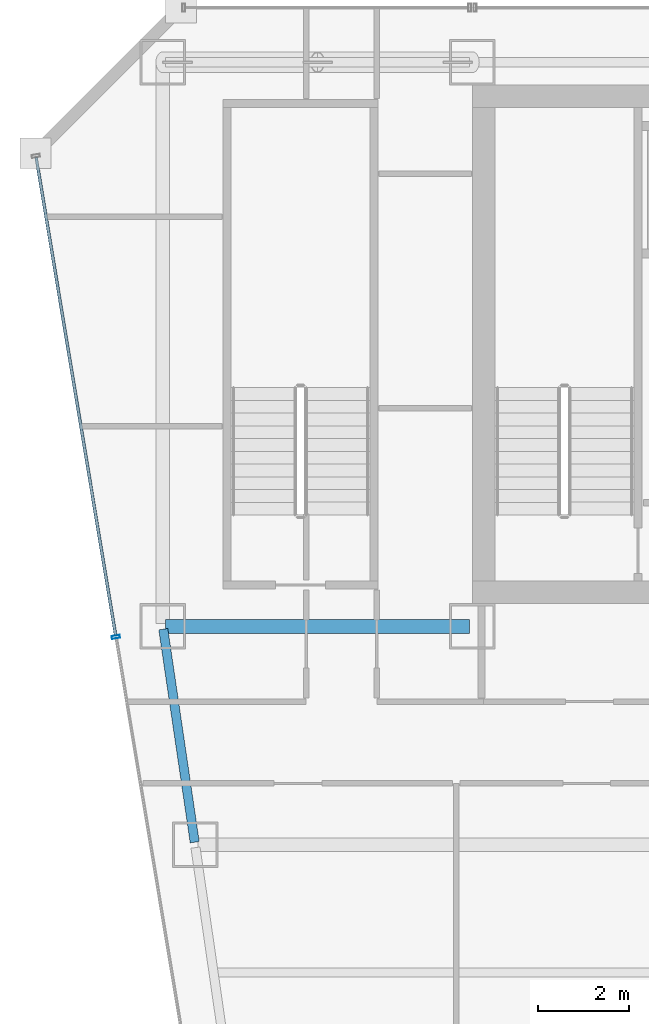
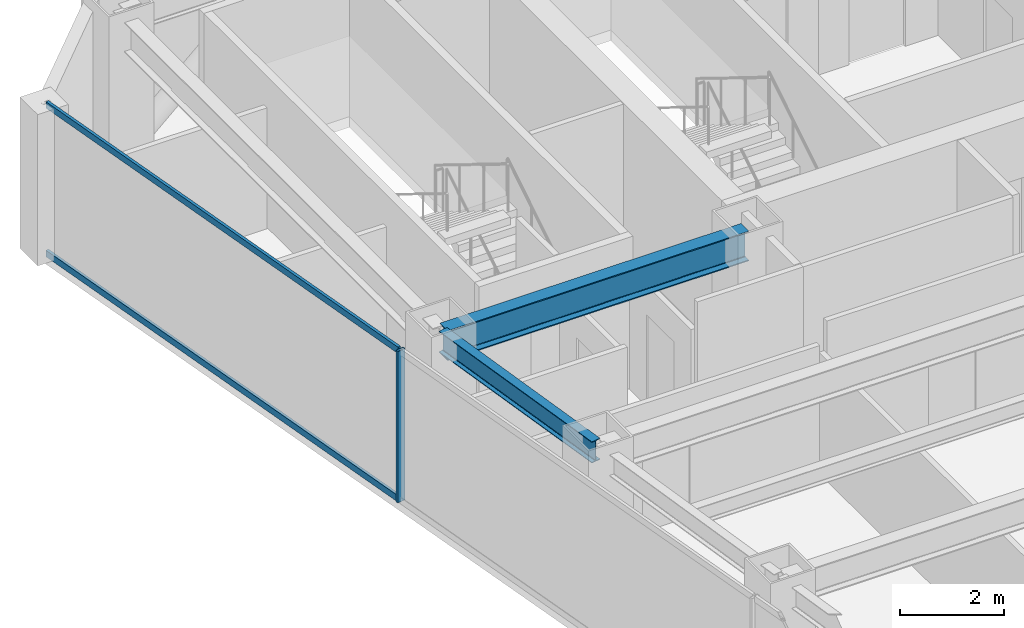
# One storey, part 20 of 38: 3 members, 2 beams, 1 element without a shape of its own.
"""IFC4 building model written with IfcOpenShell, lengths in metres."""

from ifc_helpers import new_model, si_unit, direction, frame, origin, origin_2d, place, context, subcontext, project, spatial, hollow_rectangle, i_section, extrude, material, material_profile, profile_set, type_object, element, aggregate, save


model = new_model("IFC4")

# Units and contexts
model_context = context("Model", 3, precision=1e-05, world=origin(), true_north=direction((0.0, 1.0)))
body_context = subcontext(model_context, "Body", "Model", "MODEL_VIEW")
ifc_project = project(units=[si_unit("LENGTHUNIT", "METRE"), si_unit("AREAUNIT", "SQUARE_METRE"), si_unit("VOLUMEUNIT", "CUBIC_METRE"), si_unit("PLANEANGLEUNIT", "RADIAN"), si_unit("MASSUNIT", "GRAM", prefix="KILO")], contexts=[model_context])

# Site, building, storey
site_placement = place(None, origin())
site = spatial("IfcSite", under=ifc_project, at=site_placement, CompositionType="ELEMENT")
building_placement = place(site_placement, origin())
building = spatial("IfcBuilding", under=site, at=building_placement, Name="Saevonmaru Cultural Tower", CompositionType="ELEMENT")
storey_placement = place(building_placement, frame((0.0, 0.0, 137.199951171875)))
storey = spatial("IfcBuildingStorey", under=building, at=storey_placement, Name="L29", CompositionType="ELEMENT", Elevation=137.199951171875)

# Beams
ifc_material_1 = material(Name="Steel SM355", Category="steel")
ifc_material_profile_1 = material_profile(ifc_material_1, i_section(OverallWidth=0.300048828125, OverallDepth=0.699951171875, WebThickness=0.012939453125, FlangeThickness=0.02392578125, FilletRadius=0.02587890625, at=origin_2d()), Name="H-700x300x13x24")
ifc_profile_set_1 = profile_set([ifc_material_profile_1], Name="Steel SM355")
beam_type_1 = type_object("IfcBeamType", Name="BM-G-H700", PredefinedType="BEAM", material=ifc_profile_set_1)
beam_1_placement = place(storey_placement, frame((6.860107421875, 42.39990234375, 3.199951171875), z_axis=(1.0, 0.0, 0.0), x_axis=(0.0, 1.0, 0.0)))
element("IfcBeam", 1, at=beam_1_placement, inside=storey, type_object=beam_type_1, Name="L29 Core South Girder 1", PredefinedType="BEAM", context=body_context, shape_type="SweptSolid", body=[
    extrude(i_section(OverallWidth=0.300048828125, OverallDepth=0.699951171875, WebThickness=0.012939453125, FlangeThickness=0.02392578125, FilletRadius=0.02587890625, at=origin_2d()), origin(), (0.0, 0.0, 1.0), 6.679931640625),
])
ifc_material_profile_2 = material_profile(ifc_material_1, i_section(OverallWidth=0.199951171875, OverallDepth=0.5, WebThickness=0.010009765625, FlangeThickness=0.01611328125, FilletRadius=0.02001953125, at=origin_2d()), Name="H-500x200x10x16")
ifc_profile_set_2 = profile_set([ifc_material_profile_2], Name="Steel SM355")
beam_type_2 = type_object("IfcBeamType", Name="BM-SP-H500", PredefinedType="SPANDREL", material=ifc_profile_set_2)
beam_2_placement = place(storey_placement, frame((7.499267578125, 37.659423828125, 3.300048828125), z_axis=(-0.145912860028, 0.989297446312, 0.0), x_axis=(-0.989297446312, -0.145912860028, 0.0)))
element("IfcBeam", 2, at=beam_2_placement, inside=storey, type_object=beam_type_2, Name="L29 West Splayed Spandrel 5", PredefinedType="SPANDREL", context=body_context, shape_type="SweptSolid", body=[
    extrude(i_section(OverallWidth=0.199951171875, OverallDepth=0.5, WebThickness=0.010009765625, FlangeThickness=0.01611328125, FilletRadius=0.02001953125, at=origin_2d()), origin(), (0.0, 0.0, 1.0), 4.731689453125),
])

# Curtain wall, members
ifc_material_2 = material(Name="Satin Bronze Anodised Aluminium", Category="aluminium")
curtain_wall_type = type_object("IfcCurtainWallType", Name="CW-TYP-A", PredefinedType="NOTDEFINED", material=ifc_material_2)
curtain_wall_placement = place(storey_placement, origin())
curtain_wall = element("IfcCurtainWall", 3, at=curtain_wall_placement, inside=storey, type_object=curtain_wall_type, Name="L29 Unitised Curtain Wall E12", PredefinedType="NOTDEFINED")
ifc_material_profile_3 = material_profile(ifc_material_2, hollow_rectangle(XDim=0.06494140625, YDim=0.179931640625, WallThickness=0.00390625, at=origin_2d()), Name="ALU-MULL-180x65x4")
ifc_profile_set_3 = profile_set([ifc_material_profile_3], Name="Satin Bronze Anodised Aluminium")
member_type_1 = type_object("IfcMemberType", Name="ML-CW-180x65", PredefinedType="MULLION", material=ifc_profile_set_3)
member_1_placement = place(storey_placement, frame((5.76708984375, 42.17041015625, 0.0), z_axis=(0.0, 0.0, 1.0), x_axis=(0.163998702345, -0.986460554523, 0.0)))
member_1 = element("IfcMember", 4, at=member_1_placement, type_object=member_type_1, Name="CW-TW-L29-E12 mullion 2", PredefinedType="MULLION", context=body_context, shape_type="SweptSolid", body=[
    extrude(hollow_rectangle(XDim=0.06494140625, YDim=0.179931640625, WallThickness=0.00390625, at=origin_2d()), origin(), (0.0, 0.0, 1.0), 3.550048828125),
])
ifc_material_profile_4 = material_profile(ifc_material_2, hollow_rectangle(XDim=0.06494140625, YDim=0.14990234375, WallThickness=0.00390625, at=origin_2d()), Name="ALU-TRAN-150x65x4")
ifc_profile_set_4 = profile_set([ifc_material_profile_4], Name="Satin Bronze Anodised Aluminium")
member_type_2 = type_object("IfcMemberType", Name="TR-CW-150x65", PredefinedType="USERDEFINED", material=ifc_profile_set_4)
member_2_placement = place(storey_placement, frame((4.01513671875, 52.708740234375, 0.032470703125), z_axis=(0.163990079074, -0.9864619881, 0.0), x_axis=(0.9864619881, 0.163990079074, 0.0)))
member_2 = element("IfcMember", 5, at=member_2_placement, type_object=member_type_2, Name="CW-TW-L29-E12 transom 1.1", ObjectType="TRANSOM", PredefinedType="USERDEFINED", context=body_context, shape_type="SweptSolid", body=[
    extrude(hollow_rectangle(XDim=0.06494140625, YDim=0.14990234375, WallThickness=0.00390625, at=origin_2d()), origin(), (0.0, 0.0, 1.0), 10.650634765625),
])
member_3_placement = place(storey_placement, frame((4.01513671875, 52.708740234375, 3.517578125), z_axis=(0.163990079074, -0.9864619881, 0.0), x_axis=(0.9864619881, 0.163990079074, 0.0)))
member_3 = element("IfcMember", 6, at=member_3_placement, type_object=member_type_2, Name="CW-TW-L29-E12 transom 1.2", ObjectType="TRANSOM", PredefinedType="USERDEFINED", context=body_context, shape_type="SweptSolid", body=[
    extrude(hollow_rectangle(XDim=0.06494140625, YDim=0.14990234375, WallThickness=0.00390625, at=origin_2d()), origin(), (0.0, 0.0, 1.0), 10.650634765625),
])
aggregate(curtain_wall, [member_1, member_2, member_3])

save(model, "model.ifc")
